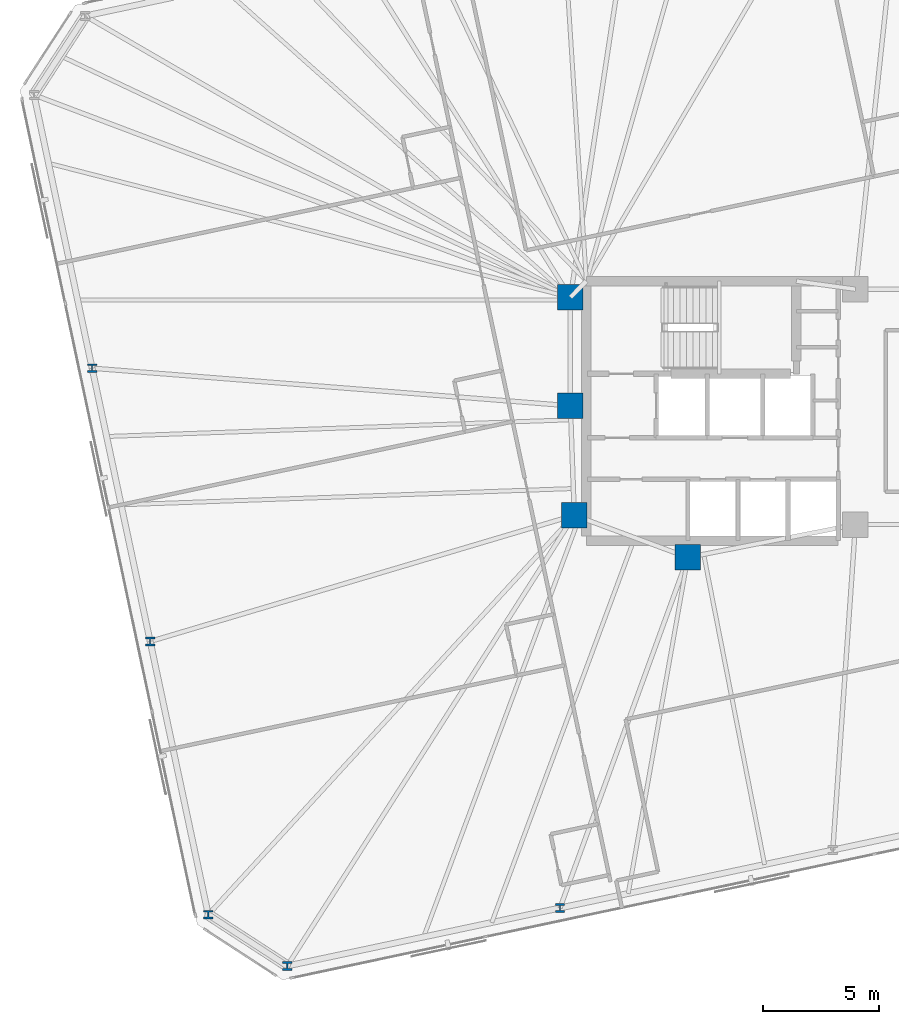
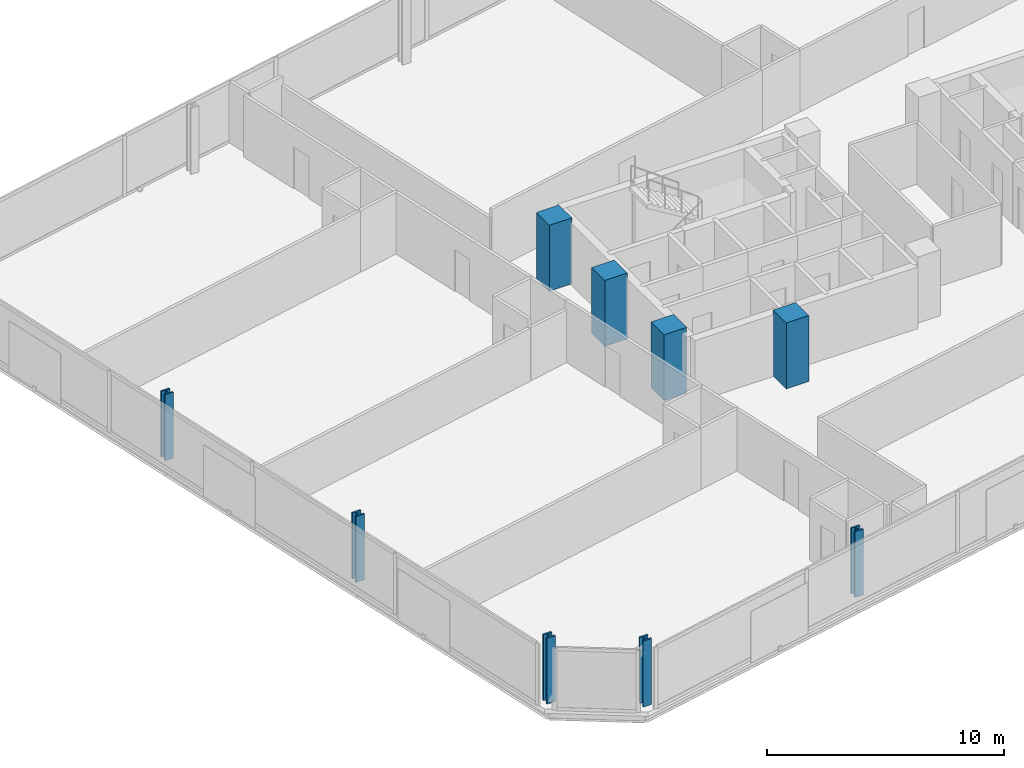
# One storey, part 1 of 19: 9 columns.
"""IFC4 building model written with IfcOpenShell, lengths in metres."""

from ifc_helpers import new_model, si_unit, direction, frame, origin, origin_2d, place, context, subcontext, project, spatial, rectangle, i_section, extrude, material, material_profile, profile_set, type_object, element, save


model = new_model("IFC4")

# Units and contexts
model_context = context("Model", 3, precision=1e-05, world=origin(), true_north=direction((0.0, 1.0)))
body_context = subcontext(model_context, "Body", "Model", "MODEL_VIEW")
ifc_project = project(units=[si_unit("LENGTHUNIT", "METRE"), si_unit("AREAUNIT", "SQUARE_METRE"), si_unit("VOLUMEUNIT", "CUBIC_METRE"), si_unit("PLANEANGLEUNIT", "RADIAN"), si_unit("MASSUNIT", "GRAM", prefix="KILO")], contexts=[model_context])

# Site, building, storey
site_placement = place(None, origin())
site = spatial("IfcSite", under=ifc_project, at=site_placement, CompositionType="ELEMENT")
building_placement = place(site_placement, origin())
building = spatial("IfcBuilding", under=site, at=building_placement, Name="Menara Jurai Vektor", CompositionType="ELEMENT")
storey_placement = place(building_placement, frame((0.0, 0.0, 192.199951171875)))
storey = spatial("IfcBuildingStorey", under=building, at=storey_placement, Name="L50", CompositionType="ELEMENT", Elevation=192.199951171875)

# Columns
ifc_material_1 = material(Name="Concrete C50/60", Category="concrete")
ifc_material_profile_1 = material_profile(ifc_material_1, rectangle(XDim=1.10009765625, YDim=1.10009765625, at=origin_2d()), Name="RC 1100x1100")
ifc_profile_set_1 = profile_set([ifc_material_profile_1], Name="Concrete C50/60")
column_type_1 = type_object("IfcColumnType", Name="STR-COL-RC1100", PredefinedType="COLUMN", material=ifc_profile_set_1)
for number, where, z_axis, x_axis, name in (
    (1, (-15.25, 4.89990234375, 0.0), (0.0, 0.0, 1.0), (1.0, 0.0, 0.0), "Core Spine Column CW-NW L50"),
    (2, (-15.25, 0.219970703125, 0.0), (0.0, 0.0, 1.0), (1.0, 0.0, 0.0), "Core Spine Column CW-WM L50"),
    (3, (-15.080078125, -4.5, 0.0), (0.0, 0.0, 1.0), (1.0, 0.0, 0.0), "Core Spine Column CW-SW L50"),
    (4, (-10.179931640625, -6.320068359375, 0.0), (0.0, 0.0, 1.0), (1.0, 0.0, 0.0), "Core Spine Column CW-SM L50"),
):
    element("IfcColumn", number, at=place(storey_placement, frame(where, z_axis=z_axis, x_axis=x_axis)), inside=storey, type_object=column_type_1, Name=name, PredefinedType="COLUMN", context=body_context, shape_type="SweptSolid", body=[
        extrude(rectangle(XDim=1.10009765625, YDim=1.10009765625, at=origin_2d()), origin(), (0.0, 0.0, 1.0), 3.400146484375),
    ])
ifc_material_2 = material(Name="Steel S460", Category="steel")
ifc_material_profile_2 = material_profile(ifc_material_2, i_section(OverallWidth=0.408935546875, OverallDepth=0.3740234375, WebThickness=0.048095703125, FlangeThickness=0.076904296875, FilletRadius=0.014892578125, at=origin_2d()), Name="HD 400x634")
ifc_profile_set_2 = profile_set([ifc_material_profile_2], Name="Steel S460")
column_type_2 = type_object("IfcColumnType", Name="STR-EXO-BLK3", PredefinedType="COLUMN", material=ifc_profile_set_2)
for number, where, z_axis, x_axis, name in (
    (5, (-27.46484375, -23.94580078125, 0.0), (0.0, 0.0, 1.0), (1.0, 0.0, 0.0), "Exoskeleton Column BLK3-S1 L50"),
    (6, (-15.696533203125, -21.4443359375, 0.0), (0.0, 0.0, 1.0), (1.0, 0.0, 0.0), "Exoskeleton Column BLK3-S2 L50"),
    (7, (-35.8828125, 1.843505859375, 0.0), (0.0, 0.0, 1.0), (1.0, 0.0, 0.0), "Exoskeleton Column BLK3-W2 L50"),
    (8, (-33.377197265625, -9.945068359375, 0.0), (0.0, 0.0, 1.0), (1.0, 0.0, 0.0), "Exoskeleton Column BLK3-W3 L50"),
    (9, (-30.871337890625, -21.7333984375, 0.0), (0.0, 0.0, 1.0), (1.0, 0.0, 0.0), "Exoskeleton Column BLK3-W4 L50"),
):
    element("IfcColumn", number, at=place(storey_placement, frame(where, z_axis=z_axis, x_axis=x_axis)), inside=storey, type_object=column_type_2, Name=name, PredefinedType="COLUMN", context=body_context, shape_type="SweptSolid", body=[
        extrude(i_section(OverallWidth=0.408935546875, OverallDepth=0.3740234375, WebThickness=0.048095703125, FlangeThickness=0.076904296875, FilletRadius=0.014892578125, at=origin_2d()), origin(), (0.0, 0.0, 1.0), 3.400146484375),
    ])

save(model, "model.ifc")
